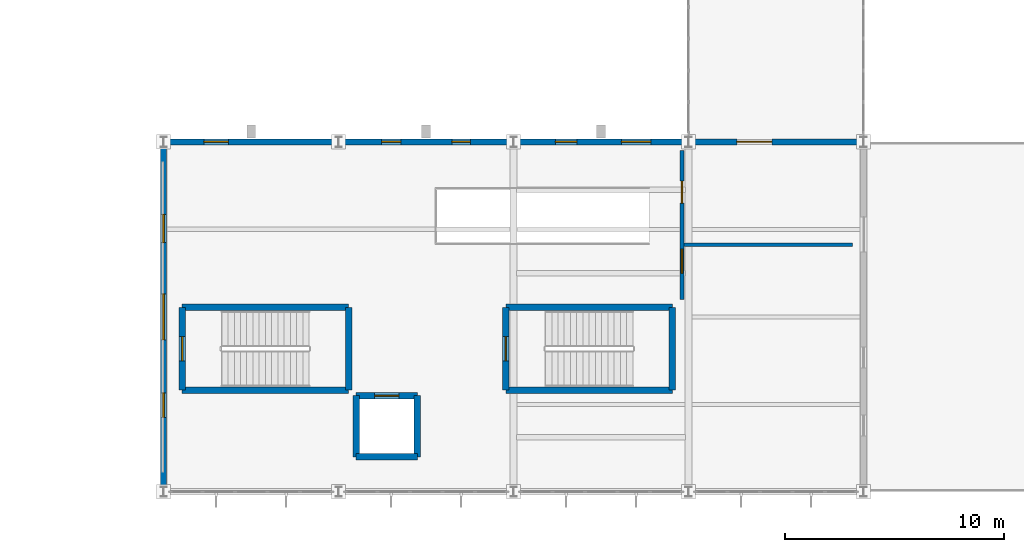
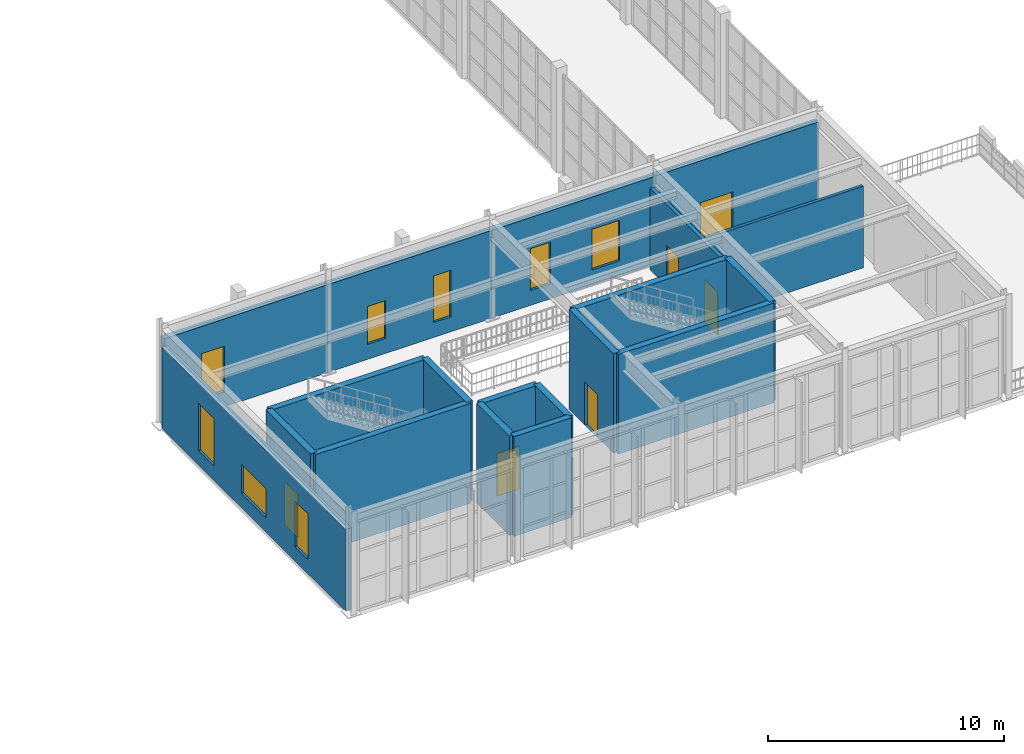
# One storey, part 66 of 82: 19 walls, 8 windows, 6 doors, 14 openings.
"""IFC4 building model written with IfcOpenShell, lengths in metres."""

from ifc_helpers import new_model, si_unit, direction, frame, frame_2d, origin, place, context, subcontext, project, spatial, rectangle, extrude, material, layer, layer_set, type_object, element, fill, save


model = new_model("IFC4")

# Units and contexts
model_context = context("Model", 3, precision=1e-05, world=origin(), true_north=direction((0.0, 1.0)))
body_context = subcontext(model_context, "Body", "Model", "MODEL_VIEW")
ifc_project = project(units=[si_unit("LENGTHUNIT", "METRE"), si_unit("AREAUNIT", "SQUARE_METRE"), si_unit("VOLUMEUNIT", "CUBIC_METRE"), si_unit("PLANEANGLEUNIT", "RADIAN"), si_unit("MASSUNIT", "GRAM", prefix="KILO")], contexts=[model_context])

# Site, building, storey
site_placement = place(None, origin())
site = spatial("IfcSite", under=ifc_project, at=site_placement, CompositionType="ELEMENT")
building_placement = place(site_placement, origin())
building = spatial("IfcBuilding", under=site, at=building_placement, Name="Serraluz Foothill Cableway Terminal", CompositionType="ELEMENT")
storey_placement = place(building_placement, frame((0.0, 0.0, 9.60009765625)))
storey = spatial("IfcBuildingStorey", under=building, at=storey_placement, Name="L02", CompositionType="ELEMENT", Elevation=9.60009765625)

# Wall, opening, window
ifc_material_1 = material(Name="Fired clay masonry brick (f'm 12 MPa)", Category="masonry")
ifc_layer_1 = layer(ifc_material_1, 0.280029296875, Name="Fired clay masonry brick (f'm 12 MPa)", Category="masonry")
ifc_layer_set_1 = layer_set([ifc_layer_1], Name="Fired clay masonry brick (f'm 12 MPa)")
wall_type_1 = type_object("IfcWallType", Name="TYP-WL-EXT-280", PredefinedType="STANDARD", material=ifc_layer_set_1)
wall_1_placement = place(storey_placement, frame((96.006103515625, 16.0, 0.0), z_axis=(0.0, 0.0, 1.0), x_axis=(1.0, 0.0, 0.0)))
wall_1 = element("IfcWall", 1, at=wall_1_placement, inside=storey, type_object=wall_type_1, Name="Exterior Masonry Wall EW-V3N-L02-96", PredefinedType="STANDARD", context=body_context, shape_type="SweptSolid", body=[
    extrude(rectangle(XDim=7.98779296875, YDim=0.280029296875, at=frame_2d((3.993896484375, 0.0))), origin(), (0.0, 0.0, 1.0), 4.537841796875),
])
opening_1_placement = place(wall_1_placement, frame((1.83642578125, 0.0, 0.780029296875)))
opening_1 = element("IfcOpeningElement", 2, at=opening_1_placement, cuts=wall_1, Name="Opening W-50", PredefinedType="OPENING", context=body_context, shape_type="SweptSolid", body=[
    extrude(rectangle(XDim=1.1201171875, YDim=2.35009765625, at=frame_2d((0.56005859375, 1.175048828125))), frame((0.0, 0.14990234375, 0.0), z_axis=(0.0, -1.0, 0.0), x_axis=(1.0, 0.0, 0.0)), (0.0, 0.0, 1.0), 0.300048828125),
])
ifc_material_2 = material(Name="Laminated low-E safety glass", Category="glass")
window_type_1 = type_object("IfcWindowType", Name="TYP-WN-112X235", PartitioningType="SINGLE_PANEL", PredefinedType="WINDOW", material=ifc_material_2)
window_1_placement = place(opening_1_placement, origin())
window_1 = element("IfcWindow", 3, at=window_1_placement, inside=storey, type_object=window_type_1, Name="Exterior Window EW-V3N-L02-96-WN1", OverallHeight=2.35009765625, OverallWidth=1.1201171875, PartitioningType="SINGLE_PANEL", PredefinedType="WINDOW", context=body_context, shape_type="SweptSolid", body=[
    extrude(rectangle(XDim=1.1201171875, YDim=2.35009765625, at=frame_2d((0.56005859375, 1.175048828125))), frame((0.0, 0.030029296875, 0.0), z_axis=(0.0, -1.0, 0.0), x_axis=(1.0, 0.0, 0.0)), (0.0, 0.0, 1.0), 0.06005859375),
])
fill(opening_1, window_1)

# Wall, openings, windows
wall_2_placement = place(storey_placement, frame((104.006103515625, 16.0, 0.0), z_axis=(0.0, 0.0, 1.0), x_axis=(1.0, 0.0, 0.0)))
wall_2 = element("IfcWall", 4, at=wall_2_placement, inside=storey, type_object=wall_type_1, Name="Exterior Masonry Wall EW-V3N-L02-104", PredefinedType="STANDARD", context=body_context, shape_type="SweptSolid", body=[
    extrude(rectangle(XDim=7.98779296875, YDim=0.280029296875, at=frame_2d((3.993896484375, 0.0))), origin(), (0.0, 0.0, 1.0), 4.537841796875),
])
opening_2_placement = place(wall_2_placement, frame((1.956298828125, 0.0, 0.780029296875)))
opening_2 = element("IfcOpeningElement", 5, at=opening_2_placement, cuts=wall_2, Name="Opening W-48", PredefinedType="OPENING", context=body_context, shape_type="SweptSolid", body=[
    extrude(rectangle(XDim=0.8798828125, YDim=1.949951171875, at=frame_2d((0.43994140625, 0.97509765625))), frame((0.0, 0.14990234375, 0.0), z_axis=(0.0, -1.0, 0.0), x_axis=(1.0, 0.0, 0.0)), (0.0, 0.0, 1.0), 0.300048828125),
])
opening_3_placement = place(wall_2_placement, frame((5.16650390625, 0.0, 0.780029296875)))
opening_3 = element("IfcOpeningElement", 6, at=opening_3_placement, cuts=wall_2, Name="Opening W-02", PredefinedType="OPENING", context=body_context, shape_type="SweptSolid", body=[
    extrude(rectangle(XDim=0.85009765625, YDim=2.39990234375, at=frame_2d((0.425048828125, 1.199951171875))), frame((0.0, 0.14990234375, 0.0), z_axis=(0.0, -1.0, 0.0), x_axis=(1.0, 0.0, 0.0)), (0.0, 0.0, 1.0), 0.300048828125),
])
window_type_2 = type_object("IfcWindowType", Name="TYP-WN-085X240", PartitioningType="SINGLE_PANEL", PredefinedType="WINDOW", material=ifc_material_2)
window_2_placement = place(opening_3_placement, origin())
window_2 = element("IfcWindow", 7, at=window_2_placement, inside=storey, type_object=window_type_2, Name="Exterior Window EW-V3N-L02-104-WN2", OverallHeight=2.39990234375, OverallWidth=0.85009765625, PartitioningType="SINGLE_PANEL", PredefinedType="WINDOW", context=body_context, shape_type="SweptSolid", body=[
    extrude(rectangle(XDim=0.85009765625, YDim=2.39990234375, at=frame_2d((0.425048828125, 1.199951171875))), frame((0.0, 0.030029296875, 0.0), z_axis=(0.0, -1.0, 0.0), x_axis=(1.0, 0.0, 0.0)), (0.0, 0.0, 1.0), 0.06005859375),
])
fill(opening_3, window_2)
window_type_3 = type_object("IfcWindowType", Name="TYP-WN-088X195", PartitioningType="SINGLE_PANEL", PredefinedType="WINDOW", material=ifc_material_2)
window_3_placement = place(opening_2_placement, origin())
window_3 = element("IfcWindow", 8, at=window_3_placement, inside=storey, type_object=window_type_3, Name="Exterior Window EW-V3N-L02-104-WN1", OverallHeight=1.949951171875, OverallWidth=0.8798828125, PartitioningType="SINGLE_PANEL", PredefinedType="WINDOW", context=body_context, shape_type="SweptSolid", body=[
    extrude(rectangle(XDim=0.8798828125, YDim=1.949951171875, at=frame_2d((0.43994140625, 0.97509765625))), frame((0.0, 0.030029296875, 0.0), z_axis=(0.0, -1.0, 0.0), x_axis=(1.0, 0.0, 0.0)), (0.0, 0.0, 1.0), 0.06005859375),
])
fill(opening_2, window_3)

wall_3_placement = place(storey_placement, frame((112.006103515625, 16.0, 0.0), z_axis=(0.0, 0.0, 1.0), x_axis=(1.0, 0.0, 0.0)))
wall_3 = element("IfcWall", 9, at=wall_3_placement, inside=storey, type_object=wall_type_1, Name="Exterior Masonry Wall EW-V3N-L02-112", PredefinedType="STANDARD", context=body_context, shape_type="SweptSolid", body=[
    extrude(rectangle(XDim=7.98779296875, YDim=0.280029296875, at=frame_2d((3.993896484375, 0.0))), origin(), (0.0, 0.0, 1.0), 4.537841796875),
])
opening_4_placement = place(wall_3_placement, frame((1.906494140625, 0.0, 0.780029296875)))
opening_4 = element("IfcOpeningElement", 10, at=opening_4_placement, cuts=wall_3, Name="Opening W-49", PredefinedType="OPENING", context=body_context, shape_type="SweptSolid", body=[
    extrude(rectangle(XDim=0.97998046875, YDim=2.14990234375, at=frame_2d((0.489990234375, 1.074951171875))), frame((0.0, 0.14990234375, 0.0), z_axis=(0.0, -1.0, 0.0), x_axis=(1.0, 0.0, 0.0)), (0.0, 0.0, 1.0), 0.300048828125),
])
opening_5_placement = place(wall_3_placement, frame((4.91650390625, 0.0, 0.780029296875)))
opening_5 = element("IfcOpeningElement", 11, at=opening_5_placement, cuts=wall_3, Name="Opening W-06", PredefinedType="OPENING", context=body_context, shape_type="SweptSolid", body=[
    extrude(rectangle(XDim=1.35009765625, YDim=2.10009765625, at=frame_2d((0.675048828125, 1.050048828125))), frame((0.0, 0.14990234375, 0.0), z_axis=(0.0, -1.0, 0.0), x_axis=(1.0, 0.0, 0.0)), (0.0, 0.0, 1.0), 0.300048828125),
])
window_type_4 = type_object("IfcWindowType", Name="TYP-WN-098X215", PartitioningType="SINGLE_PANEL", PredefinedType="WINDOW", material=ifc_material_2)
window_4_placement = place(opening_4_placement, origin())
window_4 = element("IfcWindow", 12, at=window_4_placement, inside=storey, type_object=window_type_4, Name="Exterior Window EW-V3N-L02-112-WN1", OverallHeight=2.14990234375, OverallWidth=0.97998046875, PartitioningType="SINGLE_PANEL", PredefinedType="WINDOW", context=body_context, shape_type="SweptSolid", body=[
    extrude(rectangle(XDim=0.97998046875, YDim=2.14990234375, at=frame_2d((0.489990234375, 1.074951171875))), frame((0.0, 0.030029296875, 0.0), z_axis=(0.0, -1.0, 0.0), x_axis=(1.0, 0.0, 0.0)), (0.0, 0.0, 1.0), 0.06005859375),
])
fill(opening_4, window_4)
window_type_5 = type_object("IfcWindowType", Name="TYP-WN-135X210", PartitioningType="DOUBLE_PANEL_VERTICAL", PredefinedType="WINDOW", material=ifc_material_2)
window_5_placement = place(opening_5_placement, origin())
window_5 = element("IfcWindow", 13, at=window_5_placement, inside=storey, type_object=window_type_5, Name="Exterior Window EW-V3N-L02-112-WN2", OverallHeight=2.10009765625, OverallWidth=1.35009765625, PartitioningType="SINGLE_PANEL", PredefinedType="WINDOW", context=body_context, shape_type="SweptSolid", body=[
    extrude(rectangle(XDim=1.35009765625, YDim=2.10009765625, at=frame_2d((0.675048828125, 1.050048828125))), frame((0.0, 0.030029296875, 0.0), z_axis=(0.0, -1.0, 0.0), x_axis=(1.0, 0.0, 0.0)), (0.0, 0.0, 1.0), 0.06005859375),
])
fill(opening_5, window_5)

# Wall, opening, door
wall_4_placement = place(storey_placement, frame((120.006103515625, 16.0, 0.0), z_axis=(0.0, 0.0, 1.0), x_axis=(1.0, 0.0, 0.0)))
wall_4 = element("IfcWall", 14, at=wall_4_placement, inside=storey, type_object=wall_type_1, Name="Exterior Masonry Wall EW-V3N-L02-120", PredefinedType="STANDARD", context=body_context, shape_type="SweptSolid", body=[
    extrude(rectangle(XDim=7.98779296875, YDim=0.280029296875, at=frame_2d((3.993896484375, 0.0))), origin(), (0.0, 0.0, 1.0), 4.552978515625),
])
opening_6_placement = place(wall_4_placement, frame((2.199951171875, 0.0, 0.0)))
opening_6 = element("IfcOpeningElement", 15, at=opening_6_placement, cuts=wall_4, Name="Opening DT-03", PredefinedType="OPENING", context=body_context, shape_type="SweptSolid", body=[
    extrude(rectangle(XDim=1.60009765625, YDim=2.39990234375, at=frame_2d((0.800048828125, 1.199951171875))), frame((0.0, 0.14990234375, 0.0), z_axis=(0.0, -1.0, 0.0), x_axis=(1.0, 0.0, 0.0)), (0.0, 0.0, 1.0), 0.300048828125),
])
ifc_material_3 = material(Name="Architectural bronze alloy C28000", Category="aluminium")
door_type_1 = type_object("IfcDoorType", Name="TYP-DR-TER-1600", OperationType="DOUBLE_DOOR_SINGLE_SWING", PredefinedType="DOOR", material=ifc_material_3)
door_1_placement = place(opening_6_placement, origin())
door_1 = element("IfcDoor", 16, at=door_1_placement, inside=storey, type_object=door_type_1, Name="Cloister South Bridge Door L02", OperationType="DOUBLE_DOOR_SINGLE_SWING", OverallHeight=2.39990234375, OverallWidth=1.60009765625, PredefinedType="DOOR", context=body_context, shape_type="SweptSolid", body=[
    extrude(rectangle(XDim=1.60009765625, YDim=2.39990234375, at=frame_2d((0.800048828125, 1.199951171875))), frame((0.0, 0.02490234375, 0.0), z_axis=(0.0, -1.0, 0.0), x_axis=(1.0, 0.0, 0.0)), (0.0, 0.0, 1.0), 0.050048828125),
])
fill(opening_6, door_1)

# Wall, openings, windows
wall_5_placement = place(storey_placement, frame((96.0, 0.236083984375, 0.0), z_axis=(0.0, 0.0, 1.0), x_axis=(0.0, 1.0, 0.0)))
wall_5 = element("IfcWall", 17, at=wall_5_placement, inside=storey, type_object=wall_type_1, Name="Exterior Masonry Wall EW-V3W-L02", PredefinedType="STANDARD", context=body_context, shape_type="SweptSolid", body=[
    extrude(rectangle(XDim=15.52783203125, YDim=0.280029296875, at=frame_2d((7.763916015625, 0.0))), origin(), (0.0, 0.0, 1.0), 4.222900390625),
])
opening_7_placement = place(wall_5_placement, frame((3.166748046875, 0.0, 0.75)))
opening_7 = element("IfcOpeningElement", 18, at=opening_7_placement, cuts=wall_5, Name="Opening W-50", PredefinedType="OPENING", context=body_context, shape_type="SweptSolid", body=[
    extrude(rectangle(XDim=1.1201171875, YDim=2.35009765625, at=frame_2d((0.56005859375, 1.175048828125))), frame((0.0, 0.14990234375, 0.0), z_axis=(0.0, -1.0, 0.0), x_axis=(1.0, 0.0, 0.0)), (0.0, 0.0, 1.0), 0.300048828125),
])
opening_8_placement = place(wall_5_placement, frame((6.714111328125, 0.0, 0.75)))
opening_8 = element("IfcOpeningElement", 19, at=opening_8_placement, cuts=wall_5, Name="Opening W-11", PredefinedType="OPENING", context=body_context, shape_type="SweptSolid", body=[
    extrude(rectangle(XDim=2.10009765625, YDim=1.5, at=frame_2d((1.050048828125, 0.75))), frame((0.0, 0.14990234375, 0.0), z_axis=(0.0, -1.0, 0.0), x_axis=(1.0, 0.0, 0.0)), (0.0, 0.0, 1.0), 0.300048828125),
])
opening_9_placement = place(wall_5_placement, frame((11.1513671875, 0.0, 0.75)))
opening_9 = element("IfcOpeningElement", 20, at=opening_9_placement, cuts=wall_5, Name="Opening W-40", PredefinedType="OPENING", context=body_context, shape_type="SweptSolid", body=[
    extrude(rectangle(XDim=1.300048828125, YDim=2.449951171875, at=frame_2d((0.64990234375, 1.22509765625))), frame((0.0, 0.14990234375, 0.0), z_axis=(0.0, -1.0, 0.0), x_axis=(1.0, 0.0, 0.0)), (0.0, 0.0, 1.0), 0.300048828125),
])
window_6_placement = place(opening_7_placement, origin())
window_6 = element("IfcWindow", 21, at=window_6_placement, inside=storey, type_object=window_type_1, Name="Exterior Window EW-V3W-L02-WN1", OverallHeight=2.35009765625, OverallWidth=1.1201171875, PartitioningType="SINGLE_PANEL", PredefinedType="WINDOW", context=body_context, shape_type="SweptSolid", body=[
    extrude(rectangle(XDim=1.1201171875, YDim=2.35009765625, at=frame_2d((0.56005859375, 1.175048828125))), frame((0.0, 0.030029296875, 0.0), z_axis=(0.0, -1.0, 0.0), x_axis=(1.0, 0.0, 0.0)), (0.0, 0.0, 1.0), 0.06005859375),
])
fill(opening_7, window_6)
window_type_6 = type_object("IfcWindowType", Name="TYP-WN-130X245", PartitioningType="DOUBLE_PANEL_VERTICAL", PredefinedType="WINDOW", material=ifc_material_2)
window_7_placement = place(opening_9_placement, origin())
window_7 = element("IfcWindow", 22, at=window_7_placement, inside=storey, type_object=window_type_6, Name="Exterior Window EW-V3W-L02-WN3", OverallHeight=2.449951171875, OverallWidth=1.300048828125, PartitioningType="SINGLE_PANEL", PredefinedType="WINDOW", context=body_context, shape_type="SweptSolid", body=[
    extrude(rectangle(XDim=1.300048828125, YDim=2.449951171875, at=frame_2d((0.64990234375, 1.22509765625))), frame((0.0, 0.030029296875, 0.0), z_axis=(0.0, -1.0, 0.0), x_axis=(1.0, 0.0, 0.0)), (0.0, 0.0, 1.0), 0.06005859375),
])
fill(opening_9, window_7)
window_type_7 = type_object("IfcWindowType", Name="TYP-WN-210X150", PartitioningType="DOUBLE_PANEL_VERTICAL", PredefinedType="WINDOW", material=ifc_material_2)
window_8_placement = place(opening_8_placement, origin())
window_8 = element("IfcWindow", 23, at=window_8_placement, inside=storey, type_object=window_type_7, Name="Exterior Window EW-V3W-L02-WN2", OverallHeight=1.5, OverallWidth=2.10009765625, PartitioningType="SINGLE_PANEL", PredefinedType="WINDOW", context=body_context, shape_type="SweptSolid", body=[
    extrude(rectangle(XDim=2.10009765625, YDim=1.5, at=frame_2d((1.050048828125, 0.75))), frame((0.0, 0.030029296875, 0.0), z_axis=(0.0, -1.0, 0.0), x_axis=(1.0, 0.0, 0.0)), (0.0, 0.0, 1.0), 0.06005859375),
])
fill(opening_8, window_8)

# Wall
ifc_material_4 = material(Name="Lightweight gypsum and steel stud partition", Category="steel")
ifc_layer_2 = layer(ifc_material_4, 0.14990234375, Name="Lightweight gypsum and steel stud partition", Category="steel")
ifc_layer_set_2 = layer_set([ifc_layer_2], Name="Lightweight gypsum and steel stud partition")
wall_type_2 = type_object("IfcWallType", Name="TYP-WL-PRT-150", PredefinedType="PARTITIONING", material=ifc_layer_set_2)
wall_6_placement = place(storey_placement, frame((119.800048828125, 11.300048828125, 0.0), z_axis=(0.0, 0.0, 1.0), x_axis=(1.0, 0.0, 0.0)))
element("IfcWall", 24, at=wall_6_placement, inside=storey, type_object=wall_type_2, Name="Interior Partition PT-L02-07", PredefinedType="PARTITIONING", context=body_context, shape_type="SweptSolid", body=[
    extrude(rectangle(XDim=7.699951171875, YDim=0.14990234375, at=frame_2d((3.85009765625, 0.0))), origin(), (0.0, 0.0, 1.0), 4.21484375),
])

# Wall, openings, doors
ifc_layer_3 = layer(ifc_material_1, 0.179931640625, Name="Fired clay masonry brick (f'm 12 MPa)", Category="masonry")
ifc_layer_set_3 = layer_set([ifc_layer_3], Name="Fired clay masonry brick (f'm 12 MPa)")
wall_type_3 = type_object("IfcWallType", Name="TYP-WL-PRT-180", PredefinedType="PARTITIONING", material=ifc_layer_set_3)
wall_7_placement = place(storey_placement, frame((119.699951171875, 8.800048828125, 0.0), z_axis=(0.0, 0.0, 1.0), x_axis=(0.0, 1.0, 0.0)))
wall_7 = element("IfcWall", 25, at=wall_7_placement, inside=storey, type_object=wall_type_3, Name="Interior Partition PT-L02-06", PredefinedType="PARTITIONING", context=body_context, shape_type="SweptSolid", body=[
    extrude(rectangle(XDim=6.800048828125, YDim=0.179931640625, at=frame_2d((3.39990234375, 0.0))), origin(), (0.0, 0.0, 1.0), 4.21484375),
])
opening_10_placement = place(wall_7_placement, frame((1.199951171875, 0.0, 0.0)))
opening_10 = element("IfcOpeningElement", 26, at=opening_10_placement, cuts=wall_7, Name="Opening DF-03", PredefinedType="OPENING", context=body_context, shape_type="SweptSolid", body=[
    extrude(rectangle(XDim=1.10009765625, YDim=2.199951171875, at=frame_2d((0.550048828125, 1.10009765625))), frame((0.0, 0.10009765625, 0.0), z_axis=(0.0, -1.0, 0.0), x_axis=(1.0, 0.0, 0.0)), (0.0, 0.0, 1.0), 0.199951171875),
])
opening_11_placement = place(wall_7_placement, frame((4.39990234375, 0.0, 0.0)))
opening_11 = element("IfcOpeningElement", 27, at=opening_11_placement, cuts=wall_7, Name="Opening DI-04", PredefinedType="OPENING", context=body_context, shape_type="SweptSolid", body=[
    extrude(rectangle(XDim=1.0, YDim=2.10009765625, at=frame_2d((0.5, 1.050048828125))), frame((0.0, 0.10009765625, 0.0), z_axis=(0.0, -1.0, 0.0), x_axis=(1.0, 0.0, 0.0)), (0.0, 0.0, 1.0), 0.199951171875),
])
ifc_material_5 = material(Name="Kiln-dried Andean oak hardwood", Category="wood")
door_type_2 = type_object("IfcDoorType", Name="TYP-DR-ACC-1000", OperationType="NOTDEFINED", PredefinedType="DOOR", material=ifc_material_5)
door_2_placement = place(opening_11_placement, origin())
door_2 = element("IfcDoor", 28, at=door_2_placement, inside=storey, type_object=door_type_2, Name="Interior Door PT-L02-06-DR2", OperationType="SINGLE_SWING_LEFT", OverallHeight=2.10009765625, OverallWidth=1.0, PredefinedType="DOOR", context=body_context, shape_type="SweptSolid", body=[
    extrude(rectangle(XDim=1.0, YDim=2.10009765625, at=frame_2d((0.5, 1.050048828125))), frame((0.0, 0.02490234375, 0.0), z_axis=(0.0, -1.0, 0.0), x_axis=(1.0, 0.0, 0.0)), (0.0, 0.0, 1.0), 0.050048828125),
])
fill(opening_11, door_2)
ifc_material_6 = material(Name="Galvanized hollow-metal steel sheet", Category="steel")
door_type_3 = type_object("IfcDoorType", Name="TYP-DR-FD30-1100", OperationType="NOTDEFINED", PredefinedType="DOOR", material=ifc_material_6)
door_3_placement = place(opening_10_placement, origin())
door_3 = element("IfcDoor", 29, at=door_3_placement, inside=storey, type_object=door_type_3, Name="Interior Door PT-L02-06-DR1", OperationType="SINGLE_SWING_RIGHT", OverallHeight=2.199951171875, OverallWidth=1.10009765625, PredefinedType="DOOR", context=body_context, shape_type="SweptSolid", body=[
    extrude(rectangle(XDim=1.10009765625, YDim=2.199951171875, at=frame_2d((0.550048828125, 1.10009765625))), frame((0.0, 0.02490234375, 0.0), z_axis=(0.0, -1.0, 0.0), x_axis=(1.0, 0.0, 0.0)), (0.0, 0.0, 1.0), 0.050048828125),
])
fill(opening_10, door_3)

# Wall
ifc_material_7 = material(Name="Concrete C35/45 (f'c 35 MPa)", Category="concrete")
ifc_layer_4 = layer(ifc_material_7, 0.300048828125, Name="Concrete C35/45 (f'c 35 MPa)", Category="concrete")
ifc_layer_set_4 = layer_set([ifc_layer_4], Name="Concrete C35/45 (f'c 35 MPa)")
wall_type_4 = type_object("IfcWallType", Name="TYP-WL-SHR-350", PredefinedType="SHEAR", material=ifc_layer_set_4)
wall_8_placement = place(storey_placement, frame((104.4599609375, 4.64990234375, 0.0), z_axis=(0.0, 0.0, 1.0), x_axis=(-1.0, 0.0, 0.0)))
element("IfcWall", 30, at=wall_8_placement, inside=storey, type_object=wall_type_4, Name="Stair Core Shear Wall CW-ST-06-L02-S", PredefinedType="SHEAR", context=body_context, shape_type="SweptSolid", body=[
    extrude(rectangle(XDim=7.60986328125, YDim=0.300048828125, at=frame_2d((3.804931640625, 0.0))), origin(), (0.0, 0.0, 1.0), 5.14990234375),
])

# Wall, opening, door
wall_9_placement = place(storey_placement, frame((96.85009765625, 4.64990234375, 0.0), z_axis=(0.0, 0.0, 1.0), x_axis=(0.0, 1.0, 0.0)))
wall_9 = element("IfcWall", 31, at=wall_9_placement, inside=storey, type_object=wall_type_4, Name="Stair Core Shear Wall CW-ST-06-L02-W", PredefinedType="SHEAR", context=body_context, shape_type="SweptSolid", body=[
    extrude(rectangle(XDim=3.780029296875, YDim=0.300048828125, at=frame_2d((1.89013671875, 0.0))), origin(), (0.0, 0.0, 1.0), 5.14990234375),
])
opening_12_placement = place(wall_9_placement, frame((1.340087890625, 0.0, 0.0)))
opening_12 = element("IfcOpeningElement", 32, at=opening_12_placement, cuts=wall_9, Name="Opening DF-07", PredefinedType="OPENING", context=body_context, shape_type="SweptSolid", body=[
    extrude(rectangle(XDim=1.10009765625, YDim=2.199951171875, at=frame_2d((0.550048828125, 1.10009765625))), frame((0.0, 0.16015625, 0.0), z_axis=(0.0, -1.0, 0.0), x_axis=(1.0, 0.0, 0.0)), (0.0, 0.0, 1.0), 0.320068359375),
])
door_type_4 = type_object("IfcDoorType", Name="TYP-DR-FD60-1100", OperationType="NOTDEFINED", PredefinedType="DOOR", material=ifc_material_6)
door_4_placement = place(opening_12_placement, origin())
door_4 = element("IfcDoor", 33, at=door_4_placement, inside=storey, type_object=door_type_4, Name="Exit Stair Fire Door ST-06 L02", OperationType="SINGLE_SWING_LEFT", OverallHeight=2.199951171875, OverallWidth=1.10009765625, PredefinedType="DOOR", context=body_context, shape_type="SweptSolid", body=[
    extrude(rectangle(XDim=1.10009765625, YDim=2.199951171875, at=frame_2d((0.550048828125, 1.10009765625))), frame((0.0, 0.02490234375, 0.0), z_axis=(0.0, -1.0, 0.0), x_axis=(1.0, 0.0, 0.0)), (0.0, 0.0, 1.0), 0.050048828125),
])
fill(opening_12, door_4)

# Walls
wall_10_placement = place(storey_placement, frame((96.85009765625, 8.429931640625, 0.0), z_axis=(0.0, 0.0, 1.0), x_axis=(1.0, 0.0, 0.0)))
element("IfcWall", 34, at=wall_10_placement, inside=storey, type_object=wall_type_4, Name="Stair Core Shear Wall CW-ST-06-L02-N", PredefinedType="SHEAR", context=body_context, shape_type="SweptSolid", body=[
    extrude(rectangle(XDim=7.60986328125, YDim=0.300048828125, at=frame_2d((3.804931640625, 0.0))), origin(), (0.0, 0.0, 1.0), 5.14990234375),
])
wall_11_placement = place(storey_placement, frame((104.4599609375, 8.429931640625, 0.0), z_axis=(0.0, 0.0, 1.0), x_axis=(0.0, -1.0, 0.0)))
element("IfcWall", 35, at=wall_11_placement, inside=storey, type_object=wall_type_4, Name="Stair Core Shear Wall CW-ST-06-L02-E", PredefinedType="SHEAR", context=body_context, shape_type="SweptSolid", body=[
    extrude(rectangle(XDim=3.780029296875, YDim=0.300048828125, at=frame_2d((1.89013671875, 0.0))), origin(), (0.0, 0.0, 1.0), 5.14990234375),
])
wall_12_placement = place(storey_placement, frame((119.260009765625, 4.64990234375, 0.0), z_axis=(0.0, 0.0, 1.0), x_axis=(-1.0, 0.0, 0.0)))
element("IfcWall", 36, at=wall_12_placement, inside=storey, type_object=wall_type_4, Name="Stair Core Shear Wall CW-ST-07-L02-S", PredefinedType="SHEAR", context=body_context, shape_type="SweptSolid", body=[
    extrude(rectangle(XDim=7.610107421875, YDim=0.300048828125, at=frame_2d((3.80517578125, 0.0))), origin(), (0.0, 0.0, 1.0), 5.14990234375),
])

# Wall, opening, door
wall_13_placement = place(storey_placement, frame((111.64990234375, 4.64990234375, 0.0), z_axis=(0.0, 0.0, 1.0), x_axis=(0.0, 1.0, 0.0)))
wall_13 = element("IfcWall", 37, at=wall_13_placement, inside=storey, type_object=wall_type_4, Name="Stair Core Shear Wall CW-ST-07-L02-W", PredefinedType="SHEAR", context=body_context, shape_type="SweptSolid", body=[
    extrude(rectangle(XDim=3.780029296875, YDim=0.300048828125, at=frame_2d((1.89013671875, 0.0))), origin(), (0.0, 0.0, 1.0), 5.14990234375),
])
opening_13_placement = place(wall_13_placement, frame((1.340087890625, 0.0, 0.0)))
opening_13 = element("IfcOpeningElement", 38, at=opening_13_placement, cuts=wall_13, Name="Opening DF-07", PredefinedType="OPENING", context=body_context, shape_type="SweptSolid", body=[
    extrude(rectangle(XDim=1.10009765625, YDim=2.199951171875, at=frame_2d((0.550048828125, 1.10009765625))), frame((0.0, 0.16015625, 0.0), z_axis=(0.0, -1.0, 0.0), x_axis=(1.0, 0.0, 0.0)), (0.0, 0.0, 1.0), 0.320068359375),
])
door_5_placement = place(opening_13_placement, origin())
door_5 = element("IfcDoor", 39, at=door_5_placement, inside=storey, type_object=door_type_4, Name="Exit Stair Fire Door ST-07 L02", OperationType="SINGLE_SWING_LEFT", OverallHeight=2.199951171875, OverallWidth=1.10009765625, PredefinedType="DOOR", context=body_context, shape_type="SweptSolid", body=[
    extrude(rectangle(XDim=1.10009765625, YDim=2.199951171875, at=frame_2d((0.550048828125, 1.10009765625))), frame((0.0, 0.02490234375, 0.0), z_axis=(0.0, -1.0, 0.0), x_axis=(1.0, 0.0, 0.0)), (0.0, 0.0, 1.0), 0.050048828125),
])
fill(opening_13, door_5)

# Walls
wall_14_placement = place(storey_placement, frame((111.64990234375, 8.429931640625, 0.0), z_axis=(0.0, 0.0, 1.0), x_axis=(1.0, 0.0, 0.0)))
element("IfcWall", 40, at=wall_14_placement, inside=storey, type_object=wall_type_4, Name="Stair Core Shear Wall CW-ST-07-L02-N", PredefinedType="SHEAR", context=body_context, shape_type="SweptSolid", body=[
    extrude(rectangle(XDim=7.610107421875, YDim=0.300048828125, at=frame_2d((3.80517578125, 0.0))), origin(), (0.0, 0.0, 1.0), 5.14990234375),
])
wall_15_placement = place(storey_placement, frame((119.260009765625, 8.429931640625, 0.0), z_axis=(0.0, 0.0, 1.0), x_axis=(0.0, -1.0, 0.0)))
element("IfcWall", 41, at=wall_15_placement, inside=storey, type_object=wall_type_4, Name="Stair Core Shear Wall CW-ST-07-L02-E", PredefinedType="SHEAR", context=body_context, shape_type="SweptSolid", body=[
    extrude(rectangle(XDim=3.780029296875, YDim=0.300048828125, at=frame_2d((1.89013671875, 0.0))), origin(), (0.0, 0.0, 1.0), 5.14990234375),
])
wall_16_placement = place(storey_placement, frame((107.60009765625, 1.60009765625, 0.0), z_axis=(0.0, 0.0, 1.0), x_axis=(-1.0, 0.0, 0.0)))
element("IfcWall", 42, at=wall_16_placement, inside=storey, type_object=wall_type_4, Name="Lift Shaft Shear Wall LW-LF-06-L02-S", PredefinedType="SHEAR", context=body_context, shape_type="SweptSolid", body=[
    extrude(rectangle(XDim=2.800048828125, YDim=0.300048828125, at=frame_2d((1.39990234375, 0.0))), origin(), (0.0, 0.0, 1.0), 5.14990234375),
])
wall_17_placement = place(storey_placement, frame((104.800048828125, 1.60009765625, 0.0), z_axis=(0.0, 0.0, 1.0), x_axis=(0.0, 1.0, 0.0)))
element("IfcWall", 43, at=wall_17_placement, inside=storey, type_object=wall_type_4, Name="Lift Shaft Shear Wall LW-LF-06-L02-W", PredefinedType="SHEAR", context=body_context, shape_type="SweptSolid", body=[
    extrude(rectangle(XDim=2.7998046875, YDim=0.300048828125, at=frame_2d((1.39990234375, 0.0))), origin(), (0.0, 0.0, 1.0), 5.14990234375),
])

# Wall, opening, door
wall_18_placement = place(storey_placement, frame((104.800048828125, 4.39990234375, 0.0), z_axis=(0.0, 0.0, 1.0), x_axis=(1.0, 0.0, 0.0)))
wall_18 = element("IfcWall", 44, at=wall_18_placement, inside=storey, type_object=wall_type_4, Name="Lift Shaft Shear Wall LW-LF-06-L02-N", PredefinedType="SHEAR", context=body_context, shape_type="SweptSolid", body=[
    extrude(rectangle(XDim=2.800048828125, YDim=0.300048828125, at=frame_2d((1.39990234375, 0.0))), origin(), (0.0, 0.0, 1.0), 5.14990234375),
])
opening_14_placement = place(wall_18_placement, frame((0.85009765625, 0.0, 0.0)))
opening_14 = element("IfcOpeningElement", 45, at=opening_14_placement, cuts=wall_18, Name="Opening LD-01", PredefinedType="OPENING", context=body_context, shape_type="SweptSolid", body=[
    extrude(rectangle(XDim=1.10009765625, YDim=2.199951171875, at=frame_2d((0.550048828125, 1.10009765625))), frame((0.0, 0.16015625, 0.0), z_axis=(0.0, -1.0, 0.0), x_axis=(1.0, 0.0, 0.0)), (0.0, 0.0, 1.0), 0.320068359375),
])
door_type_5 = type_object("IfcDoorType", Name="TYP-DR-LD-1100", OperationType="DOUBLE_DOOR_SLIDING", PredefinedType="DOOR", material=ifc_material_6)
door_6_placement = place(opening_14_placement, origin())
door_6 = element("IfcDoor", 46, at=door_6_placement, inside=storey, type_object=door_type_5, Name="Lift Sliding Landing Door LF-06 L02", OperationType="DOUBLE_DOOR_SLIDING", OverallHeight=2.199951171875, OverallWidth=1.10009765625, PredefinedType="DOOR", context=body_context, shape_type="SweptSolid", body=[
    extrude(rectangle(XDim=1.10009765625, YDim=2.199951171875, at=frame_2d((0.550048828125, 1.10009765625))), frame((0.0, 0.02490234375, 0.0), z_axis=(0.0, -1.0, 0.0), x_axis=(1.0, 0.0, 0.0)), (0.0, 0.0, 1.0), 0.050048828125),
])
fill(opening_14, door_6)

# Wall
wall_19_placement = place(storey_placement, frame((107.60009765625, 4.39990234375, 0.0), z_axis=(0.0, 0.0, 1.0), x_axis=(0.0, -1.0, 0.0)))
element("IfcWall", 47, at=wall_19_placement, inside=storey, type_object=wall_type_4, Name="Lift Shaft Shear Wall LW-LF-06-L02-E", PredefinedType="SHEAR", context=body_context, shape_type="SweptSolid", body=[
    extrude(rectangle(XDim=2.7998046875, YDim=0.300048828125, at=frame_2d((1.39990234375, 0.0))), origin(), (0.0, 0.0, 1.0), 5.14990234375),
])

save(model, "model.ifc")
